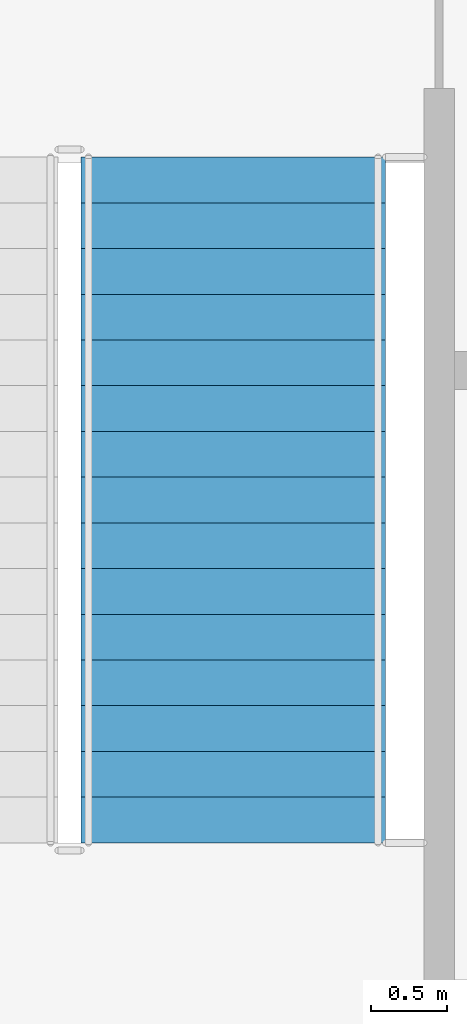
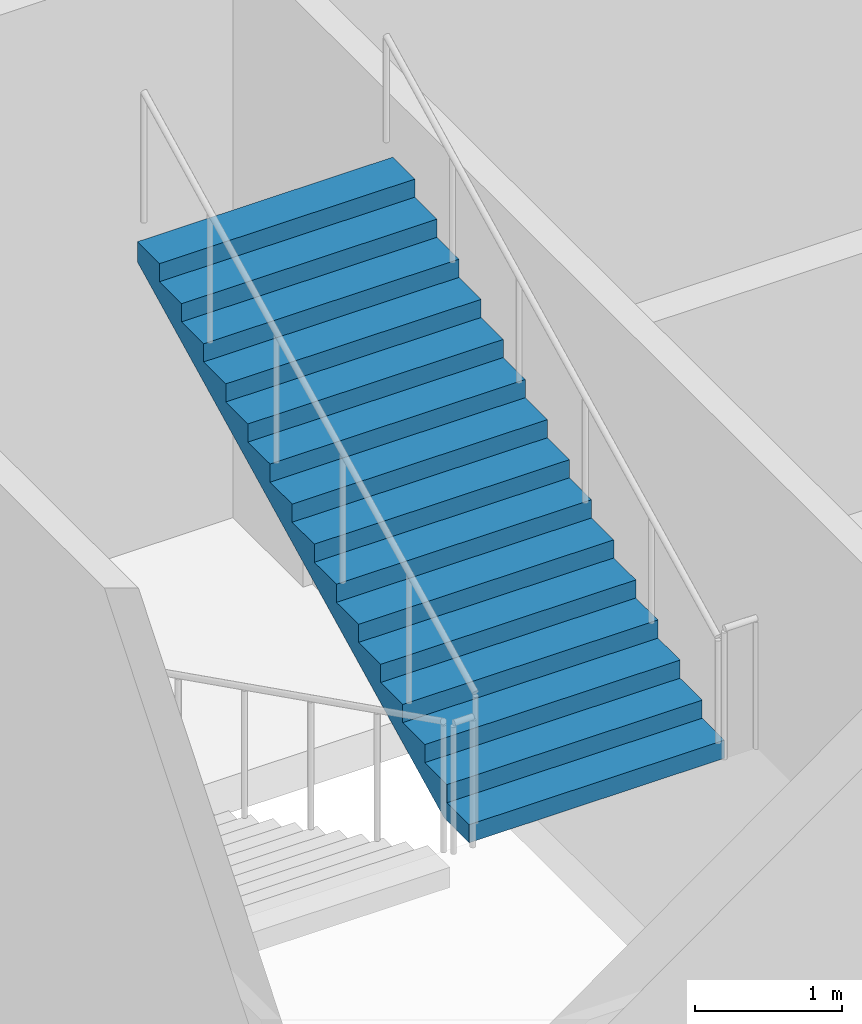
# One storey, part 48 of 91: 1 stair flight, 1 element without a shape of its own.
"""IFC4 building model written with IfcOpenShell, lengths in metres."""

from ifc_helpers import new_model, si_unit, direction, frame, origin, place, context, subcontext, project, spatial, faceted_brep, material, type_object, element, aggregate, save


model = new_model("IFC4")

# Units and contexts
model_context = context("Model", 3, precision=1e-05, world=origin(), true_north=direction((0.0, 1.0)))
body_context = subcontext(model_context, "Body", "Model", "MODEL_VIEW")
ifc_project = project(units=[si_unit("LENGTHUNIT", "METRE"), si_unit("AREAUNIT", "SQUARE_METRE"), si_unit("VOLUMEUNIT", "CUBIC_METRE"), si_unit("PLANEANGLEUNIT", "RADIAN"), si_unit("MASSUNIT", "GRAM", prefix="KILO")], contexts=[model_context])

# Site, building, storey
site_placement = place(None, origin())
site = spatial("IfcSite", under=ifc_project, at=site_placement, CompositionType="ELEMENT")
building_placement = place(site_placement, origin())
building = spatial("IfcBuilding", under=site, at=building_placement, Name="Kiln Court Media Centre", CompositionType="ELEMENT")
storey_placement = place(building_placement, frame((0.0, 0.0, 5.39990234375)))
storey = spatial("IfcBuildingStorey", under=building, at=storey_placement, Name="L01", CompositionType="ELEMENT", Elevation=5.39990234375)

# Stair, stair flight
ifc_material_1 = material(Name="Concrete C40/50", Category="concrete")
stair_type = type_object("IfcStairType", Name="Concrete C40/50 dog-leg stair 2000 wide, 150 riser", PredefinedType="HALF_TURN_STAIR", material=ifc_material_1)
stair_placement = place(storey_placement, origin())
stair = element("IfcStair", 1, at=stair_placement, inside=storey, type_object=stair_type, Name="ST-07 L01", PredefinedType="HALF_TURN_STAIR")
ifc_material_2 = material(Name="Concrete C40/50", Category="concrete")
stair_flight_type = type_object("IfcStairFlightType", Name="Concrete C40/50 stair flight 2000 wide, 150 riser, 300 going", PredefinedType="STRAIGHT", material=ifc_material_2)
stair_flight_placement = place(storey_placement, frame((3.35009765625, 59.89990234375, 2.400146484375), z_axis=(0.0, 0.0, 1.0), x_axis=(0.0, 1.0, 0.0)))
stair_flight = element("IfcStairFlight", 2, at=stair_flight_placement, type_object=stair_flight_type, Name="L01-ST-5006 flight 5013", NumberOfRisers=16, NumberOfTreads=15, PredefinedType="STRAIGHT", RiserHeight=0.15, TreadLength=0.3, context=body_context, shape_type="Brep", body=[
    faceted_brep([(0.335205078125, -1.0, 0.0), (4.5, -1.0, 2.08251953125), (4.5, -1.0, 2.25), (4.199951171875, -1.0, 2.25), (4.199951171875, -1.0, 2.10009765625), (3.89990234375, -1.0, 2.10009765625), (3.89990234375, -1.0, 1.949951171875), (3.60009765625, -1.0, 1.949951171875), (3.60009765625, -1.0, 1.800048828125), (3.300048828125, -1.0, 1.800048828125), (3.300048828125, -1.0, 1.64990234375), (3.0, -1.0, 1.64990234375), (3.0, -1.0, 1.5), (2.699951171875, -1.0, 1.5), (2.699951171875, -1.0, 1.35009765625), (2.39990234375, -1.0, 1.35009765625), (2.39990234375, -1.0, 1.199951171875), (2.10009765625, -1.0, 1.199951171875), (2.10009765625, -1.0, 1.050048828125), (1.800048828125, -1.0, 1.050048828125), (1.800048828125, -1.0, 0.89990234375), (1.5, -1.0, 0.89990234375), (1.5, -1.0, 0.75), (1.199951171875, -1.0, 0.75), (1.199951171875, -1.0, 0.60009765625), (0.89990234375, -1.0, 0.60009765625), (0.89990234375, -1.0, 0.449951171875), (0.60009765625, -1.0, 0.449951171875), (0.60009765625, -1.0, 0.300048828125), (0.300048828125, -1.0, 0.300048828125), (0.300048828125, -1.0, 0.14990234375), (0.0, -1.0, 0.14990234375), (0.0, -1.0, 0.0), (0.0, 1.0, 0.0), (0.0, 1.0, 0.14990234375), (0.300048828125, 1.0, 0.14990234375), (0.300048828125, 1.0, 0.300048828125), (0.60009765625, 1.0, 0.300048828125), (0.60009765625, 1.0, 0.449951171875), (0.89990234375, 1.0, 0.449951171875), (0.89990234375, 1.0, 0.60009765625), (1.199951171875, 1.0, 0.60009765625), (1.199951171875, 1.0, 0.75), (1.5, 1.0, 0.75), (1.5, 1.0, 0.89990234375), (1.800048828125, 1.0, 0.89990234375), (1.800048828125, 1.0, 1.050048828125), (2.10009765625, 1.0, 1.050048828125), (2.10009765625, 1.0, 1.199951171875), (2.39990234375, 1.0, 1.199951171875), (2.39990234375, 1.0, 1.35009765625), (2.699951171875, 1.0, 1.35009765625), (2.699951171875, 1.0, 1.5), (3.0, 1.0, 1.5), (3.0, 1.0, 1.64990234375), (3.300048828125, 1.0, 1.64990234375), (3.300048828125, 1.0, 1.800048828125), (3.60009765625, 1.0, 1.800048828125), (3.60009765625, 1.0, 1.949951171875), (3.89990234375, 1.0, 1.949951171875), (3.89990234375, 1.0, 2.10009765625), (4.199951171875, 1.0, 2.10009765625), (4.199951171875, 1.0, 2.25), (4.5, 1.0, 2.25), (4.5, 1.0, 2.08251953125), (0.335205078125, 1.0, 0.0), (4.5, 0.10009765625, 2.08251953125), (0.335205078125, 0.10009765625, 0.0), (4.5, 0.080078125, 2.08251953125), (0.335205078125, 0.080078125, 0.0), (4.5, 0.06005859375, 2.08251953125), (0.335205078125, 0.06005859375, 0.0), (4.5, 0.0400390625, 2.08251953125), (0.335205078125, 0.0400390625, 0.0), (4.5, 0.02001953125, 2.08251953125), (0.335205078125, 0.02001953125, 0.0), (4.5, 0.0, 2.08251953125), (0.335205078125, 0.0, 0.0), (4.5, -0.02001953125, 2.08251953125), (0.335205078125, -0.02001953125, 0.0), (4.5, -0.0400390625, 2.08251953125), (0.335205078125, -0.0400390625, 0.0), (4.5, -0.06005859375, 2.08251953125), (0.335205078125, -0.06005859375, 0.0), (4.5, -0.080078125, 2.08251953125), (0.335205078125, -0.080078125, 0.0), (4.5, -0.10009765625, 2.08251953125), (0.335205078125, -0.10009765625, 0.0), (4.5, 0.10009765625, 2.25), (4.5, 0.080078125, 2.25), (4.5, 0.06005859375, 2.25), (4.5, 0.0400390625, 2.25), (4.5, 0.02001953125, 2.25), (4.5, 0.0, 2.25), (4.5, -0.02001953125, 2.25), (4.5, -0.0400390625, 2.25), (4.5, -0.06005859375, 2.25), (4.5, -0.080078125, 2.25), (4.5, -0.10009765625, 2.25), (4.199951171875, 0.10009765625, 2.25), (4.199951171875, 0.080078125, 2.25), (4.199951171875, 0.06005859375, 2.25), (4.199951171875, 0.0400390625, 2.25), (4.199951171875, 0.02001953125, 2.25), (4.199951171875, 0.0, 2.25), (4.199951171875, -0.02001953125, 2.25), (4.199951171875, -0.0400390625, 2.25), (4.199951171875, -0.06005859375, 2.25), (4.199951171875, -0.080078125, 2.25), (4.199951171875, -0.10009765625, 2.25), (4.199951171875, 0.10009765625, 2.10009765625), (4.199951171875, 0.080078125, 2.10009765625), (4.199951171875, 0.06005859375, 2.10009765625), (4.199951171875, 0.0400390625, 2.10009765625), (4.199951171875, 0.02001953125, 2.10009765625), (4.199951171875, 0.0, 2.10009765625), (4.199951171875, -0.02001953125, 2.10009765625), (4.199951171875, -0.0400390625, 2.10009765625), (4.199951171875, -0.06005859375, 2.10009765625), (4.199951171875, -0.080078125, 2.10009765625), (4.199951171875, -0.10009765625, 2.10009765625), (3.89990234375, 0.10009765625, 2.10009765625), (3.89990234375, 0.080078125, 2.10009765625), (3.89990234375, 0.06005859375, 2.10009765625), (3.89990234375, 0.0400390625, 2.10009765625), (3.89990234375, 0.02001953125, 2.10009765625), (3.89990234375, 0.0, 2.10009765625), (3.89990234375, -0.02001953125, 2.10009765625), (3.89990234375, -0.0400390625, 2.10009765625), (3.89990234375, -0.06005859375, 2.10009765625), (3.89990234375, -0.080078125, 2.10009765625), (3.89990234375, -0.10009765625, 2.10009765625), (3.89990234375, 0.10009765625, 1.949951171875), (3.89990234375, 0.080078125, 1.949951171875), (3.89990234375, 0.06005859375, 1.949951171875), (3.89990234375, 0.0400390625, 1.949951171875), (3.89990234375, 0.02001953125, 1.949951171875), (3.89990234375, 0.0, 1.949951171875), (3.89990234375, -0.02001953125, 1.949951171875), (3.89990234375, -0.0400390625, 1.949951171875), (3.89990234375, -0.06005859375, 1.949951171875), (3.89990234375, -0.080078125, 1.949951171875), (3.89990234375, -0.10009765625, 1.949951171875), (3.60009765625, 0.10009765625, 1.949951171875), (3.60009765625, 0.080078125, 1.949951171875), (3.60009765625, 0.06005859375, 1.949951171875), (3.60009765625, 0.0400390625, 1.949951171875), (3.60009765625, 0.02001953125, 1.949951171875), (3.60009765625, 0.0, 1.949951171875), (3.60009765625, -0.02001953125, 1.949951171875), (3.60009765625, -0.0400390625, 1.949951171875), (3.60009765625, -0.06005859375, 1.949951171875), (3.60009765625, -0.080078125, 1.949951171875), (3.60009765625, -0.10009765625, 1.949951171875), (3.60009765625, 0.10009765625, 1.800048828125), (3.60009765625, 0.080078125, 1.800048828125), (3.60009765625, 0.06005859375, 1.800048828125), (3.60009765625, 0.0400390625, 1.800048828125), (3.60009765625, 0.02001953125, 1.800048828125), (3.60009765625, 0.0, 1.800048828125), (3.60009765625, -0.02001953125, 1.800048828125), (3.60009765625, -0.0400390625, 1.800048828125), (3.60009765625, -0.06005859375, 1.800048828125), (3.60009765625, -0.080078125, 1.800048828125), (3.60009765625, -0.10009765625, 1.800048828125), (3.300048828125, 0.10009765625, 1.800048828125), (3.300048828125, 0.080078125, 1.800048828125), (3.300048828125, 0.06005859375, 1.800048828125), (3.300048828125, 0.0400390625, 1.800048828125), (3.300048828125, 0.02001953125, 1.800048828125), (3.300048828125, 0.0, 1.800048828125), (3.300048828125, -0.02001953125, 1.800048828125), (3.300048828125, -0.0400390625, 1.800048828125), (3.300048828125, -0.06005859375, 1.800048828125), (3.300048828125, -0.080078125, 1.800048828125), (3.300048828125, -0.10009765625, 1.800048828125), (3.300048828125, 0.10009765625, 1.64990234375), (3.300048828125, 0.080078125, 1.64990234375), (3.300048828125, 0.06005859375, 1.64990234375), (3.300048828125, 0.0400390625, 1.64990234375), (3.300048828125, 0.02001953125, 1.64990234375), (3.300048828125, 0.0, 1.64990234375), (3.300048828125, -0.02001953125, 1.64990234375), (3.300048828125, -0.0400390625, 1.64990234375), (3.300048828125, -0.06005859375, 1.64990234375), (3.300048828125, -0.080078125, 1.64990234375), (3.300048828125, -0.10009765625, 1.64990234375), (3.0, 0.10009765625, 1.64990234375), (3.0, 0.080078125, 1.64990234375), (3.0, 0.06005859375, 1.64990234375), (3.0, 0.0400390625, 1.64990234375), (3.0, 0.02001953125, 1.64990234375), (3.0, 0.0, 1.64990234375), (3.0, -0.02001953125, 1.64990234375), (3.0, -0.0400390625, 1.64990234375), (3.0, -0.06005859375, 1.64990234375), (3.0, -0.080078125, 1.64990234375), (3.0, -0.10009765625, 1.64990234375), (3.0, 0.10009765625, 1.5), (3.0, 0.080078125, 1.5), (3.0, 0.06005859375, 1.5), (3.0, 0.0400390625, 1.5), (3.0, 0.02001953125, 1.5), (3.0, 0.0, 1.5), (3.0, -0.02001953125, 1.5), (3.0, -0.0400390625, 1.5), (3.0, -0.06005859375, 1.5), (3.0, -0.080078125, 1.5), (3.0, -0.10009765625, 1.5), (2.699951171875, 0.10009765625, 1.5), (2.699951171875, 0.080078125, 1.5), (2.699951171875, 0.06005859375, 1.5), (2.699951171875, 0.0400390625, 1.5), (2.699951171875, 0.02001953125, 1.5), (2.699951171875, 0.0, 1.5), (2.699951171875, -0.02001953125, 1.5), (2.699951171875, -0.0400390625, 1.5), (2.699951171875, -0.06005859375, 1.5), (2.699951171875, -0.080078125, 1.5), (2.699951171875, -0.10009765625, 1.5), (2.699951171875, 0.10009765625, 1.35009765625), (2.699951171875, 0.080078125, 1.35009765625), (2.699951171875, 0.06005859375, 1.35009765625), (2.699951171875, 0.0400390625, 1.35009765625), (2.699951171875, 0.02001953125, 1.35009765625), (2.699951171875, 0.0, 1.35009765625), (2.699951171875, -0.02001953125, 1.35009765625), (2.699951171875, -0.0400390625, 1.35009765625), (2.699951171875, -0.06005859375, 1.35009765625), (2.699951171875, -0.080078125, 1.35009765625), (2.699951171875, -0.10009765625, 1.35009765625), (2.39990234375, 0.10009765625, 1.35009765625), (2.39990234375, 0.080078125, 1.35009765625), (2.39990234375, 0.06005859375, 1.35009765625), (2.39990234375, 0.0400390625, 1.35009765625), (2.39990234375, 0.02001953125, 1.35009765625), (2.39990234375, 0.0, 1.35009765625), (2.39990234375, -0.02001953125, 1.35009765625), (2.39990234375, -0.0400390625, 1.35009765625), (2.39990234375, -0.06005859375, 1.35009765625), (2.39990234375, -0.080078125, 1.35009765625), (2.39990234375, -0.10009765625, 1.35009765625), (2.39990234375, 0.10009765625, 1.199951171875), (2.39990234375, 0.080078125, 1.199951171875), (2.39990234375, 0.06005859375, 1.199951171875), (2.39990234375, 0.0400390625, 1.199951171875), (2.39990234375, 0.02001953125, 1.199951171875), (2.39990234375, 0.0, 1.199951171875), (2.39990234375, -0.02001953125, 1.199951171875), (2.39990234375, -0.0400390625, 1.199951171875), (2.39990234375, -0.06005859375, 1.199951171875), (2.39990234375, -0.080078125, 1.199951171875), (2.39990234375, -0.10009765625, 1.199951171875), (2.10009765625, 0.10009765625, 1.199951171875), (2.10009765625, 0.080078125, 1.199951171875), (2.10009765625, 0.06005859375, 1.199951171875), (2.10009765625, 0.0400390625, 1.199951171875), (2.10009765625, 0.02001953125, 1.199951171875), (2.10009765625, 0.0, 1.199951171875), (2.10009765625, -0.02001953125, 1.199951171875), (2.10009765625, -0.0400390625, 1.199951171875), (2.10009765625, -0.06005859375, 1.199951171875), (2.10009765625, -0.080078125, 1.199951171875), (2.10009765625, -0.10009765625, 1.199951171875), (2.10009765625, 0.10009765625, 1.050048828125), (2.10009765625, 0.080078125, 1.050048828125), (2.10009765625, 0.06005859375, 1.050048828125), (2.10009765625, 0.0400390625, 1.050048828125), (2.10009765625, 0.02001953125, 1.050048828125), (2.10009765625, 0.0, 1.050048828125), (2.10009765625, -0.02001953125, 1.050048828125), (2.10009765625, -0.0400390625, 1.050048828125), (2.10009765625, -0.06005859375, 1.050048828125), (2.10009765625, -0.080078125, 1.050048828125), (2.10009765625, -0.10009765625, 1.050048828125), (1.800048828125, 0.10009765625, 1.050048828125), (1.800048828125, 0.080078125, 1.050048828125), (1.800048828125, 0.06005859375, 1.050048828125), (1.800048828125, 0.0400390625, 1.050048828125), (1.800048828125, 0.02001953125, 1.050048828125), (1.800048828125, 0.0, 1.050048828125), (1.800048828125, -0.02001953125, 1.050048828125), (1.800048828125, -0.0400390625, 1.050048828125), (1.800048828125, -0.06005859375, 1.050048828125), (1.800048828125, -0.080078125, 1.050048828125), (1.800048828125, -0.10009765625, 1.050048828125), (1.800048828125, 0.10009765625, 0.89990234375), (1.800048828125, 0.080078125, 0.89990234375), (1.800048828125, 0.06005859375, 0.89990234375), (1.800048828125, 0.0400390625, 0.89990234375), (1.800048828125, 0.02001953125, 0.89990234375), (1.800048828125, 0.0, 0.89990234375), (1.800048828125, -0.02001953125, 0.89990234375), (1.800048828125, -0.0400390625, 0.89990234375), (1.800048828125, -0.06005859375, 0.89990234375), (1.800048828125, -0.080078125, 0.89990234375), (1.800048828125, -0.10009765625, 0.89990234375), (1.5, 0.10009765625, 0.89990234375), (1.5, 0.080078125, 0.89990234375), (1.5, 0.06005859375, 0.89990234375), (1.5, 0.0400390625, 0.89990234375), (1.5, 0.02001953125, 0.89990234375), (1.5, 0.0, 0.89990234375), (1.5, -0.02001953125, 0.89990234375), (1.5, -0.0400390625, 0.89990234375), (1.5, -0.06005859375, 0.89990234375), (1.5, -0.080078125, 0.89990234375), (1.5, -0.10009765625, 0.89990234375), (1.5, 0.10009765625, 0.75), (1.5, 0.080078125, 0.75), (1.5, 0.06005859375, 0.75), (1.5, 0.0400390625, 0.75), (1.5, 0.02001953125, 0.75), (1.5, 0.0, 0.75), (1.5, -0.02001953125, 0.75), (1.5, -0.0400390625, 0.75), (1.5, -0.06005859375, 0.75), (1.5, -0.080078125, 0.75), (1.5, -0.10009765625, 0.75), (1.199951171875, 0.10009765625, 0.75), (1.199951171875, 0.080078125, 0.75), (1.199951171875, 0.06005859375, 0.75), (1.199951171875, 0.0400390625, 0.75), (1.199951171875, 0.02001953125, 0.75), (1.199951171875, 0.0, 0.75), (1.199951171875, -0.02001953125, 0.75), (1.199951171875, -0.0400390625, 0.75), (1.199951171875, -0.06005859375, 0.75), (1.199951171875, -0.080078125, 0.75), (1.199951171875, -0.10009765625, 0.75), (1.199951171875, 0.10009765625, 0.60009765625), (1.199951171875, 0.080078125, 0.60009765625), (1.199951171875, 0.06005859375, 0.60009765625), (1.199951171875, 0.0400390625, 0.60009765625), (1.199951171875, 0.02001953125, 0.60009765625), (1.199951171875, 0.0, 0.60009765625), (1.199951171875, -0.02001953125, 0.60009765625), (1.199951171875, -0.0400390625, 0.60009765625), (1.199951171875, -0.06005859375, 0.60009765625), (1.199951171875, -0.080078125, 0.60009765625), (1.199951171875, -0.10009765625, 0.60009765625), (0.89990234375, 0.10009765625, 0.60009765625), (0.89990234375, 0.080078125, 0.60009765625), (0.89990234375, 0.06005859375, 0.60009765625), (0.89990234375, 0.0400390625, 0.60009765625), (0.89990234375, 0.02001953125, 0.60009765625), (0.89990234375, 0.0, 0.60009765625), (0.89990234375, -0.02001953125, 0.60009765625), (0.89990234375, -0.0400390625, 0.60009765625), (0.89990234375, -0.06005859375, 0.60009765625), (0.89990234375, -0.080078125, 0.60009765625), (0.89990234375, -0.10009765625, 0.60009765625), (0.89990234375, 0.10009765625, 0.449951171875), (0.89990234375, 0.080078125, 0.449951171875), (0.89990234375, 0.06005859375, 0.449951171875), (0.89990234375, 0.0400390625, 0.449951171875), (0.89990234375, 0.02001953125, 0.449951171875), (0.89990234375, 0.0, 0.449951171875), (0.89990234375, -0.02001953125, 0.449951171875), (0.89990234375, -0.0400390625, 0.449951171875), (0.89990234375, -0.06005859375, 0.449951171875), (0.89990234375, -0.080078125, 0.449951171875), (0.89990234375, -0.10009765625, 0.449951171875), (0.60009765625, 0.10009765625, 0.449951171875), (0.60009765625, 0.080078125, 0.449951171875), (0.60009765625, 0.06005859375, 0.449951171875), (0.60009765625, 0.0400390625, 0.449951171875), (0.60009765625, 0.02001953125, 0.449951171875), (0.60009765625, 0.0, 0.449951171875), (0.60009765625, -0.02001953125, 0.449951171875), (0.60009765625, -0.0400390625, 0.449951171875), (0.60009765625, -0.06005859375, 0.449951171875), (0.60009765625, -0.080078125, 0.449951171875), (0.60009765625, -0.10009765625, 0.449951171875), (0.60009765625, 0.10009765625, 0.300048828125), (0.60009765625, 0.080078125, 0.300048828125), (0.60009765625, 0.06005859375, 0.300048828125), (0.60009765625, 0.0400390625, 0.300048828125), (0.60009765625, 0.02001953125, 0.300048828125), (0.60009765625, 0.0, 0.300048828125), (0.60009765625, -0.02001953125, 0.300048828125), (0.60009765625, -0.0400390625, 0.300048828125), (0.60009765625, -0.06005859375, 0.300048828125), (0.60009765625, -0.080078125, 0.300048828125), (0.60009765625, -0.10009765625, 0.300048828125), (0.300048828125, 0.10009765625, 0.300048828125), (0.300048828125, 0.080078125, 0.300048828125), (0.300048828125, 0.06005859375, 0.300048828125), (0.300048828125, 0.0400390625, 0.300048828125), (0.300048828125, 0.02001953125, 0.300048828125), (0.300048828125, 0.0, 0.300048828125), (0.300048828125, -0.02001953125, 0.300048828125), (0.300048828125, -0.0400390625, 0.300048828125), (0.300048828125, -0.06005859375, 0.300048828125), (0.300048828125, -0.080078125, 0.300048828125), (0.300048828125, -0.10009765625, 0.300048828125), (0.300048828125, 0.10009765625, 0.14990234375), (0.300048828125, 0.080078125, 0.14990234375), (0.300048828125, 0.06005859375, 0.14990234375), (0.300048828125, 0.0400390625, 0.14990234375), (0.300048828125, 0.02001953125, 0.14990234375), (0.300048828125, 0.0, 0.14990234375), (0.300048828125, -0.02001953125, 0.14990234375), (0.300048828125, -0.0400390625, 0.14990234375), (0.300048828125, -0.06005859375, 0.14990234375), (0.300048828125, -0.080078125, 0.14990234375), (0.300048828125, -0.10009765625, 0.14990234375), (0.0, 0.10009765625, 0.14990234375), (0.0, 0.080078125, 0.14990234375), (0.0, 0.06005859375, 0.14990234375), (0.0, 0.0400390625, 0.14990234375), (0.0, 0.02001953125, 0.14990234375), (0.0, 0.0, 0.14990234375), (0.0, -0.02001953125, 0.14990234375), (0.0, -0.0400390625, 0.14990234375), (0.0, -0.06005859375, 0.14990234375), (0.0, -0.080078125, 0.14990234375), (0.0, -0.10009765625, 0.14990234375), (0.0, 0.10009765625, 0.0), (0.0, 0.080078125, 0.0), (0.0, 0.06005859375, 0.0), (0.0, 0.0400390625, 0.0), (0.0, 0.02001953125, 0.0), (0.0, 0.0, 0.0), (0.0, -0.02001953125, 0.0), (0.0, -0.0400390625, 0.0), (0.0, -0.06005859375, 0.0), (0.0, -0.080078125, 0.0), (0.0, -0.10009765625, 0.0)], [[[0, 1, 2, 3, 4, 5, 6, 7, 8, 9, 10, 11, 12, 13, 14, 15, 16, 17, 18, 19, 20, 21, 22, 23, 24, 25, 26, 27, 28, 29, 30, 31, 32]], [[33, 34, 35, 36, 37, 38, 39, 40, 41, 42, 43, 44, 45, 46, 47, 48, 49, 50, 51, 52, 53, 54, 55, 56, 57, 58, 59, 60, 61, 62, 63, 64, 65]], [[65, 64, 66, 67]], [[67, 66, 68, 69]], [[69, 68, 70, 71]], [[71, 70, 72, 73]], [[73, 72, 74, 75]], [[75, 74, 76, 77]], [[77, 76, 78, 79]], [[79, 78, 80, 81]], [[81, 80, 82, 83]], [[83, 82, 84, 85]], [[85, 84, 86, 87]], [[87, 86, 1, 0]], [[64, 63, 88, 66]], [[66, 88, 89, 68]], [[68, 89, 90, 70]], [[70, 90, 91, 72]], [[72, 91, 92, 74]], [[74, 92, 93, 76]], [[76, 93, 94, 78]], [[78, 94, 95, 80]], [[80, 95, 96, 82]], [[82, 96, 97, 84]], [[84, 97, 98, 86]], [[86, 98, 2, 1]], [[63, 62, 99, 88]], [[88, 99, 100, 89]], [[89, 100, 101, 90]], [[90, 101, 102, 91]], [[91, 102, 103, 92]], [[92, 103, 104, 93]], [[93, 104, 105, 94]], [[94, 105, 106, 95]], [[95, 106, 107, 96]], [[96, 107, 108, 97]], [[97, 108, 109, 98]], [[98, 109, 3, 2]], [[62, 61, 110, 99]], [[99, 110, 111, 100]], [[100, 111, 112, 101]], [[101, 112, 113, 102]], [[102, 113, 114, 103]], [[103, 114, 115, 104]], [[104, 115, 116, 105]], [[105, 116, 117, 106]], [[106, 117, 118, 107]], [[107, 118, 119, 108]], [[108, 119, 120, 109]], [[109, 120, 4, 3]], [[61, 60, 121, 110]], [[110, 121, 122, 111]], [[111, 122, 123, 112]], [[112, 123, 124, 113]], [[113, 124, 125, 114]], [[114, 125, 126, 115]], [[115, 126, 127, 116]], [[116, 127, 128, 117]], [[117, 128, 129, 118]], [[118, 129, 130, 119]], [[119, 130, 131, 120]], [[120, 131, 5, 4]], [[60, 59, 132, 121]], [[121, 132, 133, 122]], [[122, 133, 134, 123]], [[123, 134, 135, 124]], [[124, 135, 136, 125]], [[125, 136, 137, 126]], [[126, 137, 138, 127]], [[127, 138, 139, 128]], [[128, 139, 140, 129]], [[129, 140, 141, 130]], [[130, 141, 142, 131]], [[131, 142, 6, 5]], [[59, 58, 143, 132]], [[132, 143, 144, 133]], [[133, 144, 145, 134]], [[134, 145, 146, 135]], [[135, 146, 147, 136]], [[136, 147, 148, 137]], [[137, 148, 149, 138]], [[138, 149, 150, 139]], [[139, 150, 151, 140]], [[140, 151, 152, 141]], [[141, 152, 153, 142]], [[142, 153, 7, 6]], [[58, 57, 154, 143]], [[143, 154, 155, 144]], [[144, 155, 156, 145]], [[145, 156, 157, 146]], [[146, 157, 158, 147]], [[147, 158, 159, 148]], [[148, 159, 160, 149]], [[149, 160, 161, 150]], [[150, 161, 162, 151]], [[151, 162, 163, 152]], [[152, 163, 164, 153]], [[153, 164, 8, 7]], [[57, 56, 165, 154]], [[154, 165, 166, 155]], [[155, 166, 167, 156]], [[156, 167, 168, 157]], [[157, 168, 169, 158]], [[158, 169, 170, 159]], [[159, 170, 171, 160]], [[160, 171, 172, 161]], [[161, 172, 173, 162]], [[162, 173, 174, 163]], [[163, 174, 175, 164]], [[164, 175, 9, 8]], [[56, 55, 176, 165]], [[165, 176, 177, 166]], [[166, 177, 178, 167]], [[167, 178, 179, 168]], [[168, 179, 180, 169]], [[169, 180, 181, 170]], [[170, 181, 182, 171]], [[171, 182, 183, 172]], [[172, 183, 184, 173]], [[173, 184, 185, 174]], [[174, 185, 186, 175]], [[175, 186, 10, 9]], [[55, 54, 187, 176]], [[176, 187, 188, 177]], [[177, 188, 189, 178]], [[178, 189, 190, 179]], [[179, 190, 191, 180]], [[180, 191, 192, 181]], [[181, 192, 193, 182]], [[182, 193, 194, 183]], [[183, 194, 195, 184]], [[184, 195, 196, 185]], [[185, 196, 197, 186]], [[186, 197, 11, 10]], [[54, 53, 198, 187]], [[187, 198, 199, 188]], [[188, 199, 200, 189]], [[189, 200, 201, 190]], [[190, 201, 202, 191]], [[191, 202, 203, 192]], [[192, 203, 204, 193]], [[193, 204, 205, 194]], [[194, 205, 206, 195]], [[195, 206, 207, 196]], [[196, 207, 208, 197]], [[197, 208, 12, 11]], [[53, 52, 209, 198]], [[198, 209, 210, 199]], [[199, 210, 211, 200]], [[200, 211, 212, 201]], [[201, 212, 213, 202]], [[202, 213, 214, 203]], [[203, 214, 215, 204]], [[204, 215, 216, 205]], [[205, 216, 217, 206]], [[206, 217, 218, 207]], [[207, 218, 219, 208]], [[208, 219, 13, 12]], [[52, 51, 220, 209]], [[209, 220, 221, 210]], [[210, 221, 222, 211]], [[211, 222, 223, 212]], [[212, 223, 224, 213]], [[213, 224, 225, 214]], [[214, 225, 226, 215]], [[215, 226, 227, 216]], [[216, 227, 228, 217]], [[217, 228, 229, 218]], [[218, 229, 230, 219]], [[219, 230, 14, 13]], [[51, 50, 231, 220]], [[220, 231, 232, 221]], [[221, 232, 233, 222]], [[222, 233, 234, 223]], [[223, 234, 235, 224]], [[224, 235, 236, 225]], [[225, 236, 237, 226]], [[226, 237, 238, 227]], [[227, 238, 239, 228]], [[228, 239, 240, 229]], [[229, 240, 241, 230]], [[230, 241, 15, 14]], [[50, 49, 242, 231]], [[231, 242, 243, 232]], [[232, 243, 244, 233]], [[233, 244, 245, 234]], [[234, 245, 246, 235]], [[235, 246, 247, 236]], [[236, 247, 248, 237]], [[237, 248, 249, 238]], [[238, 249, 250, 239]], [[239, 250, 251, 240]], [[240, 251, 252, 241]], [[241, 252, 16, 15]], [[49, 48, 253, 242]], [[242, 253, 254, 243]], [[243, 254, 255, 244]], [[244, 255, 256, 245]], [[245, 256, 257, 246]], [[246, 257, 258, 247]], [[247, 258, 259, 248]], [[248, 259, 260, 249]], [[249, 260, 261, 250]], [[250, 261, 262, 251]], [[251, 262, 263, 252]], [[252, 263, 17, 16]], [[48, 47, 264, 253]], [[253, 264, 265, 254]], [[254, 265, 266, 255]], [[255, 266, 267, 256]], [[256, 267, 268, 257]], [[257, 268, 269, 258]], [[258, 269, 270, 259]], [[259, 270, 271, 260]], [[260, 271, 272, 261]], [[261, 272, 273, 262]], [[262, 273, 274, 263]], [[263, 274, 18, 17]], [[47, 46, 275, 264]], [[264, 275, 276, 265]], [[265, 276, 277, 266]], [[266, 277, 278, 267]], [[267, 278, 279, 268]], [[268, 279, 280, 269]], [[269, 280, 281, 270]], [[270, 281, 282, 271]], [[271, 282, 283, 272]], [[272, 283, 284, 273]], [[273, 284, 285, 274]], [[274, 285, 19, 18]], [[46, 45, 286, 275]], [[275, 286, 287, 276]], [[276, 287, 288, 277]], [[277, 288, 289, 278]], [[278, 289, 290, 279]], [[279, 290, 291, 280]], [[280, 291, 292, 281]], [[281, 292, 293, 282]], [[282, 293, 294, 283]], [[283, 294, 295, 284]], [[284, 295, 296, 285]], [[285, 296, 20, 19]], [[45, 44, 297, 286]], [[286, 297, 298, 287]], [[287, 298, 299, 288]], [[288, 299, 300, 289]], [[289, 300, 301, 290]], [[290, 301, 302, 291]], [[291, 302, 303, 292]], [[292, 303, 304, 293]], [[293, 304, 305, 294]], [[294, 305, 306, 295]], [[295, 306, 307, 296]], [[296, 307, 21, 20]], [[44, 43, 308, 297]], [[297, 308, 309, 298]], [[298, 309, 310, 299]], [[299, 310, 311, 300]], [[300, 311, 312, 301]], [[301, 312, 313, 302]], [[302, 313, 314, 303]], [[303, 314, 315, 304]], [[304, 315, 316, 305]], [[305, 316, 317, 306]], [[306, 317, 318, 307]], [[307, 318, 22, 21]], [[43, 42, 319, 308]], [[308, 319, 320, 309]], [[309, 320, 321, 310]], [[310, 321, 322, 311]], [[311, 322, 323, 312]], [[312, 323, 324, 313]], [[313, 324, 325, 314]], [[314, 325, 326, 315]], [[315, 326, 327, 316]], [[316, 327, 328, 317]], [[317, 328, 329, 318]], [[318, 329, 23, 22]], [[42, 41, 330, 319]], [[319, 330, 331, 320]], [[320, 331, 332, 321]], [[321, 332, 333, 322]], [[322, 333, 334, 323]], [[323, 334, 335, 324]], [[324, 335, 336, 325]], [[325, 336, 337, 326]], [[326, 337, 338, 327]], [[327, 338, 339, 328]], [[328, 339, 340, 329]], [[329, 340, 24, 23]], [[41, 40, 341, 330]], [[330, 341, 342, 331]], [[331, 342, 343, 332]], [[332, 343, 344, 333]], [[333, 344, 345, 334]], [[334, 345, 346, 335]], [[335, 346, 347, 336]], [[336, 347, 348, 337]], [[337, 348, 349, 338]], [[338, 349, 350, 339]], [[339, 350, 351, 340]], [[340, 351, 25, 24]], [[40, 39, 352, 341]], [[341, 352, 353, 342]], [[342, 353, 354, 343]], [[343, 354, 355, 344]], [[344, 355, 356, 345]], [[345, 356, 357, 346]], [[346, 357, 358, 347]], [[347, 358, 359, 348]], [[348, 359, 360, 349]], [[349, 360, 361, 350]], [[350, 361, 362, 351]], [[351, 362, 26, 25]], [[39, 38, 363, 352]], [[352, 363, 364, 353]], [[353, 364, 365, 354]], [[354, 365, 366, 355]], [[355, 366, 367, 356]], [[356, 367, 368, 357]], [[357, 368, 369, 358]], [[358, 369, 370, 359]], [[359, 370, 371, 360]], [[360, 371, 372, 361]], [[361, 372, 373, 362]], [[362, 373, 27, 26]], [[38, 37, 374, 363]], [[363, 374, 375, 364]], [[364, 375, 376, 365]], [[365, 376, 377, 366]], [[366, 377, 378, 367]], [[367, 378, 379, 368]], [[368, 379, 380, 369]], [[369, 380, 381, 370]], [[370, 381, 382, 371]], [[371, 382, 383, 372]], [[372, 383, 384, 373]], [[373, 384, 28, 27]], [[37, 36, 385, 374]], [[374, 385, 386, 375]], [[375, 386, 387, 376]], [[376, 387, 388, 377]], [[377, 388, 389, 378]], [[378, 389, 390, 379]], [[379, 390, 391, 380]], [[380, 391, 392, 381]], [[381, 392, 393, 382]], [[382, 393, 394, 383]], [[383, 394, 395, 384]], [[384, 395, 29, 28]], [[36, 35, 396, 385]], [[385, 396, 397, 386]], [[386, 397, 398, 387]], [[387, 398, 399, 388]], [[388, 399, 400, 389]], [[389, 400, 401, 390]], [[390, 401, 402, 391]], [[391, 402, 403, 392]], [[392, 403, 404, 393]], [[393, 404, 405, 394]], [[394, 405, 406, 395]], [[395, 406, 30, 29]], [[35, 34, 407, 396]], [[396, 407, 408, 397]], [[397, 408, 409, 398]], [[398, 409, 410, 399]], [[399, 410, 411, 400]], [[400, 411, 412, 401]], [[401, 412, 413, 402]], [[402, 413, 414, 403]], [[403, 414, 415, 404]], [[404, 415, 416, 405]], [[405, 416, 417, 406]], [[406, 417, 31, 30]], [[34, 33, 418, 407]], [[407, 418, 419, 408]], [[408, 419, 420, 409]], [[409, 420, 421, 410]], [[410, 421, 422, 411]], [[411, 422, 423, 412]], [[412, 423, 424, 413]], [[413, 424, 425, 414]], [[414, 425, 426, 415]], [[415, 426, 427, 416]], [[416, 427, 428, 417]], [[417, 428, 32, 31]], [[33, 65, 67, 418]], [[418, 67, 69, 419]], [[419, 69, 71, 420]], [[420, 71, 73, 421]], [[421, 73, 75, 422]], [[422, 75, 77, 423]], [[423, 77, 79, 424]], [[424, 79, 81, 425]], [[425, 81, 83, 426]], [[426, 83, 85, 427]], [[427, 85, 87, 428]], [[428, 87, 0, 32]]]),
])
aggregate(stair, [stair_flight])

save(model, "model.ifc")
